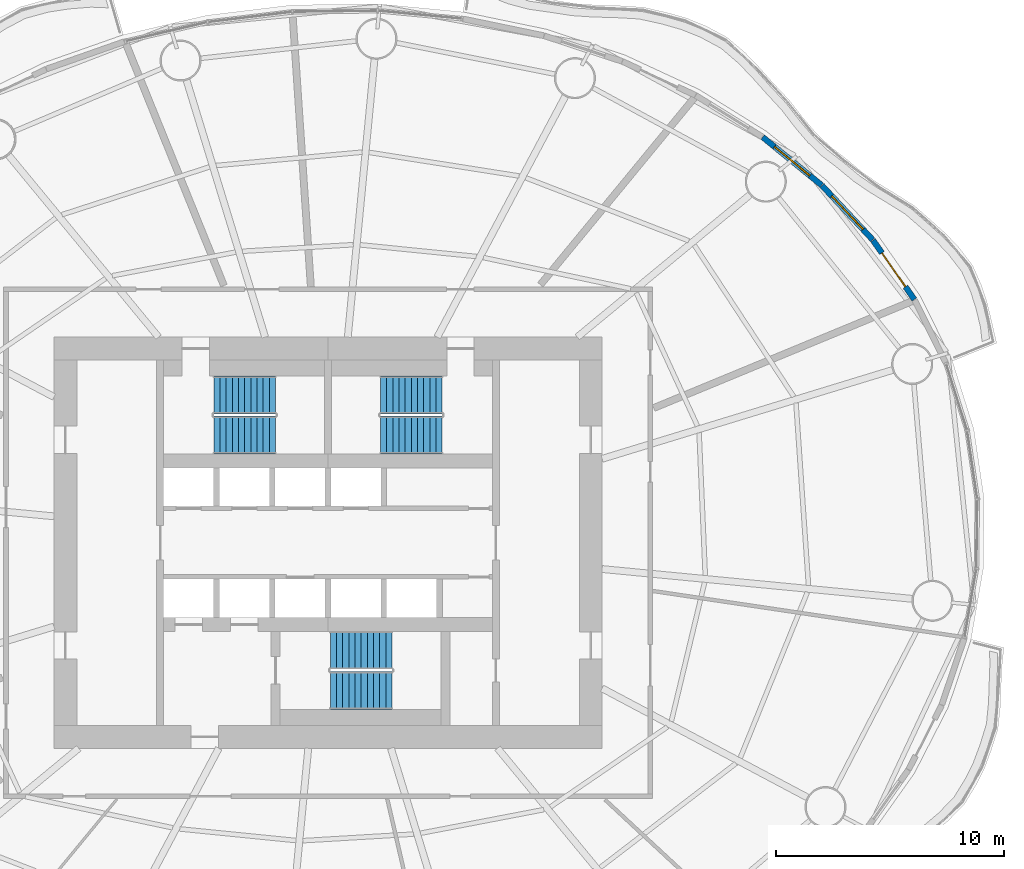
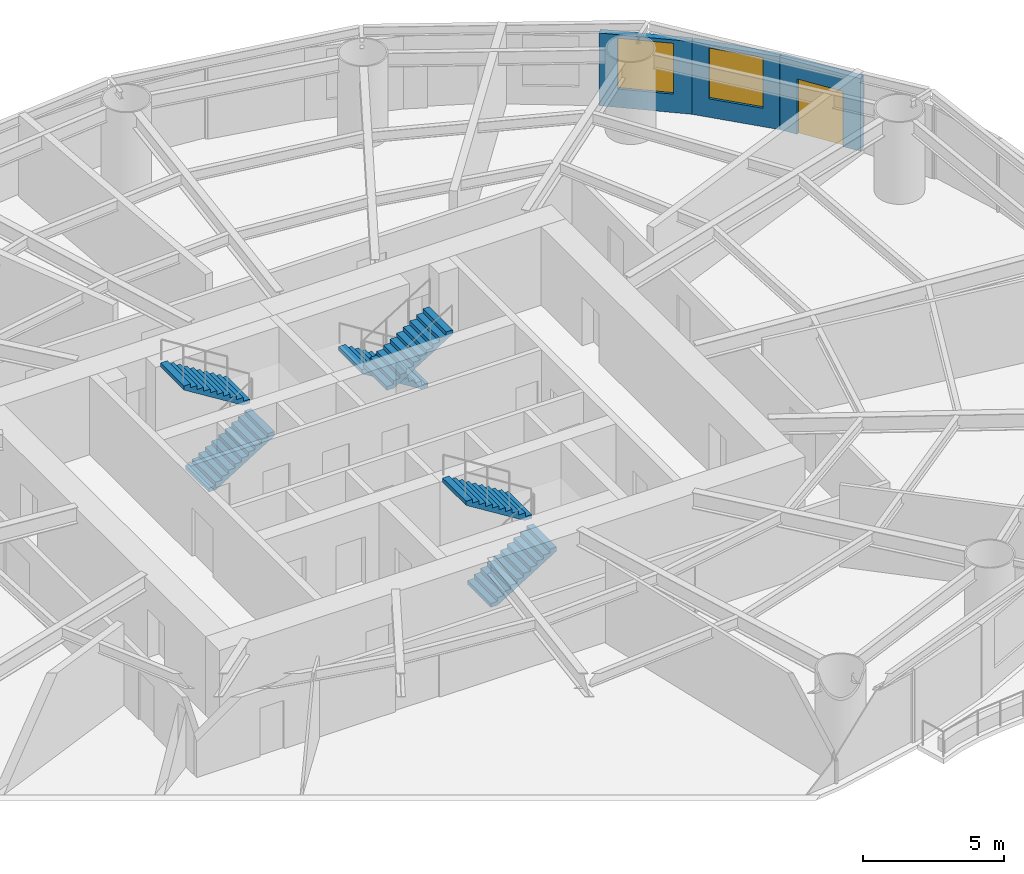
# One storey, part 11 of 16: 6 stair flights, 3 walls, 2 windows, 1 door, 3 openings, 3 elements without a shape of their own.
"""IFC4 building model written with IfcOpenShell, lengths in metres."""

from ifc_helpers import new_model, si_unit, direction, frame, frame_2d, origin, place, context, subcontext, project, spatial, polyline, rectangle, outline, extrude, material, layer, layer_set, type_object, element, fill, aggregate, save


model = new_model("IFC4")

# Units and contexts
model_context = context("Model", 3, precision=1e-05, world=origin(), true_north=direction((0.0, 1.0)))
body_context = subcontext(model_context, "Body", "Model", "MODEL_VIEW")
ifc_project = project(units=[si_unit("LENGTHUNIT", "METRE"), si_unit("AREAUNIT", "SQUARE_METRE"), si_unit("VOLUMEUNIT", "CUBIC_METRE"), si_unit("PLANEANGLEUNIT", "RADIAN"), si_unit("MASSUNIT", "GRAM", prefix="KILO")], contexts=[model_context])

# Site, building, storey
site_placement = place(None, origin())
site = spatial("IfcSite", under=ifc_project, at=site_placement, CompositionType="ELEMENT")
building_placement = place(site_placement, origin())
building = spatial("IfcBuilding", under=site, at=building_placement, Name="Vermilion Reach Broadcast Tower", CompositionType="ELEMENT")
storey_placement = place(building_placement, frame((0.0, 0.0, 50.800048828125)))
storey = spatial("IfcBuildingStorey", under=building, at=storey_placement, Name="L09", CompositionType="ELEMENT", Elevation=50.800048828125)

# Wall, opening, door
ifc_material_1 = material(Name="Terracotta rainscreen cladding", Category="masonry")
ifc_layer = layer(ifc_material_1, 0.25)
ifc_layer_set = layer_set([ifc_layer], Name="Terracotta rainscreen wall 250")
wall_type = type_object("IfcWallType", Name="Terracotta rainscreen wall 250", PredefinedType="SOLIDWALL", material=ifc_layer_set)
wall_1_placement = place(storey_placement, frame((19.669189453125, 10.6474609375, 0.0), z_axis=(0.0, 0.0, 1.0), x_axis=(-0.571854103807, 0.820355340056, 0.0)))
wall_1 = element("IfcWall", 1, at=wall_1_placement, inside=storey, type_object=wall_type, Name="External wall L09 03", PredefinedType="SOLIDWALL", context=body_context, shape_type="SweptSolid", body=[
    extrude(rectangle(XDim=3.16064453125, YDim=0.25, at=frame_2d((1.580322265625, 0.0))), origin(), (0.0, 0.0, 1.0), 3.14990234375),
])
opening_1_placement = place(wall_1_placement, frame((0.679931640625, 0.0, 0.0)))
opening_1 = element("IfcOpeningElement", 2, at=opening_1_placement, cuts=wall_1, Name="Opening D70", PredefinedType="OPENING", context=body_context, shape_type="SweptSolid", body=[
    extrude(rectangle(XDim=1.800048828125, YDim=2.39990234375, at=frame_2d((0.89990234375, 1.199951171875))), frame((0.0, 0.135009765625, 0.0), z_axis=(0.0, -1.0, 0.0), x_axis=(1.0, 0.0, 0.0)), (0.0, 0.0, 1.0), 0.27001953125),
])
ifc_material_2 = material(Name="Low-e laminated clear glass in aluminium frame", Category="aluminium")
door_type = type_object("IfcDoorType", Name="Balcony sliding door 1800 x 2400", OperationType="DOUBLE_DOOR_SLIDING", PredefinedType="DOOR", material=ifc_material_2)
door_placement = place(opening_1_placement, origin())
door = element("IfcDoor", 3, at=door_placement, inside=storey, type_object=door_type, Name="Balcony door L09 run 01", OperationType="DOUBLE_DOOR_SLIDING", OverallHeight=2.39990234375, OverallWidth=1.800048828125, PredefinedType="DOOR", context=body_context, shape_type="SweptSolid", body=[
    extrude(rectangle(XDim=1.800048828125, YDim=2.39990234375, at=frame_2d((0.89990234375, 1.199951171875))), frame((0.0, 0.02490234375, 0.0), z_axis=(0.0, -1.0, 0.0), x_axis=(1.0, 0.0, 0.0)), (0.0, 0.0, 1.0), 0.050048828125),
])
fill(opening_1, door)

# Wall, opening, window
wall_2_placement = place(storey_placement, frame((17.845703125, 13.26025390625, 0.0), z_axis=(0.0, 0.0, 1.0), x_axis=(-0.682457674527, 0.730925114139, 0.0)))
wall_2 = element("IfcWall", 4, at=wall_2_placement, inside=storey, type_object=wall_type, Name="External wall L09 04", PredefinedType="SOLIDWALL", context=body_context, shape_type="SweptSolid", body=[
    extrude(rectangle(XDim=3.243896484375, YDim=0.25, at=frame_2d((1.6220703125, 0.0))), origin(), (0.0, 0.0, 1.0), 3.14990234375),
])
opening_2_placement = place(wall_2_placement, frame((0.621826171875, 0.0, 0.800048828125)))
opening_2 = element("IfcOpeningElement", 5, at=opening_2_placement, cuts=wall_2, Name="Opening W01", PredefinedType="OPENING", context=body_context, shape_type="SweptSolid", body=[
    extrude(rectangle(XDim=2.0, YDim=2.199951171875, at=frame_2d((1.0, 1.10009765625))), frame((0.0, 0.135009765625, 0.0), z_axis=(0.0, -1.0, 0.0), x_axis=(1.0, 0.0, 0.0)), (0.0, 0.0, 1.0), 0.27001953125),
])
ifc_material_3 = material(Name="Low-e laminated clear glass in aluminium frame", Category="aluminium")
window_type = type_object("IfcWindowType", Name="Punched window 2000 x 2200 sill 800", PartitioningType="SINGLE_PANEL", PredefinedType="WINDOW", material=ifc_material_3)
window_1_placement = place(opening_2_placement, origin())
window_1 = element("IfcWindow", 6, at=window_1_placement, inside=storey, type_object=window_type, Name="Window L09 04", OverallHeight=2.199951171875, OverallWidth=2.0, PartitioningType="SINGLE_PANEL", PredefinedType="WINDOW", context=body_context, shape_type="SweptSolid", body=[
    extrude(rectangle(XDim=2.0, YDim=2.199951171875, at=frame_2d((1.0, 1.10009765625))), frame((0.0, 0.030029296875, 0.0), z_axis=(0.0, -1.0, 0.0), x_axis=(1.0, 0.0, 0.0)), (0.0, 0.0, 1.0), 0.06005859375),
])
fill(opening_2, window_1)

wall_3_placement = place(storey_placement, frame((15.61376953125, 15.648193359375, 0.0), z_axis=(0.0, 0.0, 1.0), x_axis=(-0.774781963818, 0.632228525569, 0.0)))
wall_3 = element("IfcWall", 7, at=wall_3_placement, inside=storey, type_object=wall_type, Name="External wall L09 05", PredefinedType="SOLIDWALL", context=body_context, shape_type="SweptSolid", body=[
    extrude(rectangle(XDim=3.33447265625, YDim=0.25, at=frame_2d((1.667236328125, 0.0))), origin(), (0.0, 0.0, 1.0), 3.14990234375),
])
opening_3_placement = place(wall_3_placement, frame((0.667236328125, 0.0, 0.800048828125)))
opening_3 = element("IfcOpeningElement", 8, at=opening_3_placement, cuts=wall_3, Name="Opening W01", PredefinedType="OPENING", context=body_context, shape_type="SweptSolid", body=[
    extrude(rectangle(XDim=2.0, YDim=2.199951171875, at=frame_2d((1.0, 1.10009765625))), frame((0.0, 0.135009765625, 0.0), z_axis=(0.0, -1.0, 0.0), x_axis=(1.0, 0.0, 0.0)), (0.0, 0.0, 1.0), 0.27001953125),
])
window_2_placement = place(opening_3_placement, origin())
window_2 = element("IfcWindow", 9, at=window_2_placement, inside=storey, type_object=window_type, Name="Window L09 05", OverallHeight=2.199951171875, OverallWidth=2.0, PartitioningType="SINGLE_PANEL", PredefinedType="WINDOW", context=body_context, shape_type="SweptSolid", body=[
    extrude(rectangle(XDim=2.0, YDim=2.199951171875, at=frame_2d((1.0, 1.10009765625))), frame((0.0, 0.030029296875, 0.0), z_axis=(0.0, -1.0, 0.0), x_axis=(1.0, 0.0, 0.0)), (0.0, 0.0, 1.0), 0.06005859375),
])
fill(opening_3, window_2)

# Stair, stair flights
ifc_material_4 = material(Name="Concrete C40", Category="concrete")
stair_type = type_object("IfcStairType", Name="Exit stair RC 22 risers 168 mm", PredefinedType="HALF_TURN_STAIR", material=ifc_material_4)
placement = place(storey_placement, origin())
stair_1 = element("IfcStair", 10, at=placement, inside=storey, type_object=stair_type, Name="L09 Exit stair ST1", PredefinedType="HALF_TURN_STAIR")
ifc_material_5 = material(Name="Concrete C40", Category="concrete")
stair_flight_type = type_object("IfcStairFlightType", Name="Exit stair flight RC 11 risers", PredefinedType="STRAIGHT", material=ifc_material_5)
stair_flight_1_placement = place(storey_placement, frame((-11.0, 4.7099609375, 0.0), z_axis=(0.0, 0.0, 1.0), x_axis=(1.0, 0.0, 0.0)))
stair_flight_1 = element("IfcStairFlight", 11, at=stair_flight_1_placement, type_object=stair_flight_type, Name="ST1 flight 1", NumberOfRisers=11, NumberOfTreads=10, PredefinedType="STRAIGHT", RiserHeight=0.168181818, TreadLength=0.27, context=body_context, shape_type="SweptSolid", body=[
    extrude(outline(polyline([(0.0, 0.0), (0.0, 0.168212890625), (0.27001953125, 0.168212890625), (0.27001953125, 0.33642578125), (0.5400390625, 0.33642578125), (0.5400390625, 0.504638671875), (0.81005859375, 0.504638671875), (0.81005859375, 0.672607421875), (1.080078125, 0.672607421875), (1.080078125, 0.8408203125), (1.35009765625, 0.8408203125), (1.35009765625, 1.009033203125), (1.6201171875, 1.009033203125), (1.6201171875, 1.17724609375), (1.889892578125, 1.17724609375), (1.889892578125, 1.345458984375), (2.159912109375, 1.345458984375), (2.159912109375, 1.513671875), (2.429931640625, 1.513671875), (2.429931640625, 1.681884765625), (2.699951171875, 1.681884765625), (2.699951171875, 1.85009765625), (2.699951171875, 1.505126953125), (0.283447265625, 0.0), (0.0, 0.0)])), frame((0.0, 0.830078125, 0.0), z_axis=(0.0, -1.0, 0.0), x_axis=(1.0, 0.0, 0.0)), (0.0, 0.0, 1.0), 1.659912109375),
])
stair_flight_2_placement = place(storey_placement, frame((-8.300048828125, 6.469970703125, 1.849853515625), z_axis=(0.0, 0.0, 1.0), x_axis=(-1.0, 0.0, 0.0)))
stair_flight_2 = element("IfcStairFlight", 12, at=stair_flight_2_placement, type_object=stair_flight_type, Name="ST1 flight 2", NumberOfRisers=11, NumberOfTreads=10, PredefinedType="STRAIGHT", RiserHeight=0.168181818, TreadLength=0.27, context=body_context, shape_type="SweptSolid", body=[
    extrude(outline(polyline([(0.0, 0.0), (0.0, 0.168212890625), (0.27001953125, 0.168212890625), (0.27001953125, 0.33642578125), (0.5400390625, 0.33642578125), (0.5400390625, 0.504638671875), (0.81005859375, 0.504638671875), (0.81005859375, 0.672607421875), (1.080078125, 0.672607421875), (1.080078125, 0.8408203125), (1.35009765625, 0.8408203125), (1.35009765625, 1.009033203125), (1.6201171875, 1.009033203125), (1.6201171875, 1.17724609375), (1.889892578125, 1.17724609375), (1.889892578125, 1.345458984375), (2.159912109375, 1.345458984375), (2.159912109375, 1.513671875), (2.429931640625, 1.513671875), (2.429931640625, 1.681884765625), (2.699951171875, 1.681884765625), (2.699951171875, 1.85009765625), (2.699951171875, 1.505126953125), (0.283447265625, 0.0), (0.0, 0.0)])), frame((0.0, 0.830078125, 0.0), z_axis=(0.0, -1.0, 0.0), x_axis=(1.0, 0.0, 0.0)), (0.0, 0.0, 1.0), 1.659912109375),
])
aggregate(stair_1, [stair_flight_1, stair_flight_2])

stair_2 = element("IfcStair", 13, at=placement, inside=storey, type_object=stair_type, Name="L09 Exit stair ST2", PredefinedType="HALF_TURN_STAIR")
stair_flight_3_placement = place(storey_placement, frame((-1.0, 6.469970703125, 0.0), z_axis=(0.0, 0.0, 1.0), x_axis=(-1.0, 0.0, 0.0)))
stair_flight_3 = element("IfcStairFlight", 14, at=stair_flight_3_placement, type_object=stair_flight_type, Name="ST2 flight 1", NumberOfRisers=11, NumberOfTreads=10, PredefinedType="STRAIGHT", RiserHeight=0.168181818, TreadLength=0.27, context=body_context, shape_type="SweptSolid", body=[
    extrude(outline(polyline([(0.0, 0.0), (0.0, 0.168212890625), (0.27001953125, 0.168212890625), (0.27001953125, 0.33642578125), (0.5400390625, 0.33642578125), (0.5400390625, 0.504638671875), (0.81005859375, 0.504638671875), (0.81005859375, 0.672607421875), (1.080078125, 0.672607421875), (1.080078125, 0.8408203125), (1.35009765625, 0.8408203125), (1.35009765625, 1.009033203125), (1.6201171875, 1.009033203125), (1.6201171875, 1.17724609375), (1.889892578125, 1.17724609375), (1.889892578125, 1.345458984375), (2.159912109375, 1.345458984375), (2.159912109375, 1.513671875), (2.429931640625, 1.513671875), (2.429931640625, 1.681884765625), (2.699951171875, 1.681884765625), (2.699951171875, 1.85009765625), (2.699951171875, 1.505126953125), (0.283447265625, 0.0), (0.0, 0.0)])), frame((0.0, 0.830078125, 0.0), z_axis=(0.0, -1.0, 0.0), x_axis=(1.0, 0.0, 0.0)), (0.0, 0.0, 1.0), 1.659912109375),
])
stair_flight_4_placement = place(storey_placement, frame((-3.699951171875, 4.7099609375, 1.849853515625), z_axis=(0.0, 0.0, 1.0), x_axis=(1.0, 0.0, 0.0)))
stair_flight_4 = element("IfcStairFlight", 15, at=stair_flight_4_placement, type_object=stair_flight_type, Name="ST2 flight 2", NumberOfRisers=11, NumberOfTreads=10, PredefinedType="STRAIGHT", RiserHeight=0.168181818, TreadLength=0.27, context=body_context, shape_type="SweptSolid", body=[
    extrude(outline(polyline([(0.0, 0.0), (0.0, 0.168212890625), (0.27001953125, 0.168212890625), (0.27001953125, 0.33642578125), (0.5400390625, 0.33642578125), (0.5400390625, 0.504638671875), (0.81005859375, 0.504638671875), (0.81005859375, 0.672607421875), (1.080078125, 0.672607421875), (1.080078125, 0.8408203125), (1.35009765625, 0.8408203125), (1.35009765625, 1.009033203125), (1.6201171875, 1.009033203125), (1.6201171875, 1.17724609375), (1.889892578125, 1.17724609375), (1.889892578125, 1.345458984375), (2.159912109375, 1.345458984375), (2.159912109375, 1.513671875), (2.429931640625, 1.513671875), (2.429931640625, 1.681884765625), (2.699951171875, 1.681884765625), (2.699951171875, 1.85009765625), (2.699951171875, 1.505126953125), (0.283447265625, 0.0), (0.0, 0.0)])), frame((0.0, 0.830078125, 0.0), z_axis=(0.0, -1.0, 0.0), x_axis=(1.0, 0.0, 0.0)), (0.0, 0.0, 1.0), 1.659912109375),
])
aggregate(stair_2, [stair_flight_3, stair_flight_4])

stair_3 = element("IfcStair", 16, at=placement, inside=storey, type_object=stair_type, Name="L09 Exit stair ST3", PredefinedType="HALF_TURN_STAIR")
stair_flight_5_placement = place(storey_placement, frame((-5.89990234375, -6.469970703125, 0.0), z_axis=(0.0, 0.0, 1.0), x_axis=(1.0, 0.0, 0.0)))
stair_flight_5 = element("IfcStairFlight", 17, at=stair_flight_5_placement, type_object=stair_flight_type, Name="ST3 flight 1", NumberOfRisers=11, NumberOfTreads=10, PredefinedType="STRAIGHT", RiserHeight=0.168181818, TreadLength=0.27, context=body_context, shape_type="SweptSolid", body=[
    extrude(outline(polyline([(0.0, 0.0), (0.0, 0.168212890625), (0.27001953125, 0.168212890625), (0.27001953125, 0.33642578125), (0.5400390625, 0.33642578125), (0.5400390625, 0.504638671875), (0.81005859375, 0.504638671875), (0.81005859375, 0.672607421875), (1.080078125, 0.672607421875), (1.080078125, 0.8408203125), (1.35009765625, 0.8408203125), (1.35009765625, 1.009033203125), (1.6201171875, 1.009033203125), (1.6201171875, 1.17724609375), (1.889892578125, 1.17724609375), (1.889892578125, 1.345458984375), (2.159912109375, 1.345458984375), (2.159912109375, 1.513671875), (2.429931640625, 1.513671875), (2.429931640625, 1.681884765625), (2.699951171875, 1.681884765625), (2.699951171875, 1.85009765625), (2.699951171875, 1.505126953125), (0.283447265625, 0.0), (0.0, 0.0)])), frame((0.0, 0.830078125, 0.0), z_axis=(0.0, -1.0, 0.0), x_axis=(1.0, 0.0, 0.0)), (0.0, 0.0, 1.0), 1.659912109375),
])
stair_flight_6_placement = place(storey_placement, frame((-3.199951171875, -4.7099609375, 1.849853515625), z_axis=(0.0, 0.0, 1.0), x_axis=(-1.0, 0.0, 0.0)))
stair_flight_6 = element("IfcStairFlight", 18, at=stair_flight_6_placement, type_object=stair_flight_type, Name="ST3 flight 2", NumberOfRisers=11, NumberOfTreads=10, PredefinedType="STRAIGHT", RiserHeight=0.168181818, TreadLength=0.27, context=body_context, shape_type="SweptSolid", body=[
    extrude(outline(polyline([(0.0, 0.0), (0.0, 0.168212890625), (0.27001953125, 0.168212890625), (0.27001953125, 0.33642578125), (0.5400390625, 0.33642578125), (0.5400390625, 0.504638671875), (0.81005859375, 0.504638671875), (0.81005859375, 0.672607421875), (1.080078125, 0.672607421875), (1.080078125, 0.8408203125), (1.35009765625, 0.8408203125), (1.35009765625, 1.009033203125), (1.6201171875, 1.009033203125), (1.6201171875, 1.17724609375), (1.889892578125, 1.17724609375), (1.889892578125, 1.345458984375), (2.159912109375, 1.345458984375), (2.159912109375, 1.513671875), (2.429931640625, 1.513671875), (2.429931640625, 1.681884765625), (2.699951171875, 1.681884765625), (2.699951171875, 1.85009765625), (2.699951171875, 1.505126953125), (0.283447265625, 0.0), (0.0, 0.0)])), frame((0.0, 0.830078125, 0.0), z_axis=(0.0, -1.0, 0.0), x_axis=(1.0, 0.0, 0.0)), (0.0, 0.0, 1.0), 1.659912109375),
])
aggregate(stair_3, [stair_flight_5, stair_flight_6])

save(model, "model.ifc")
